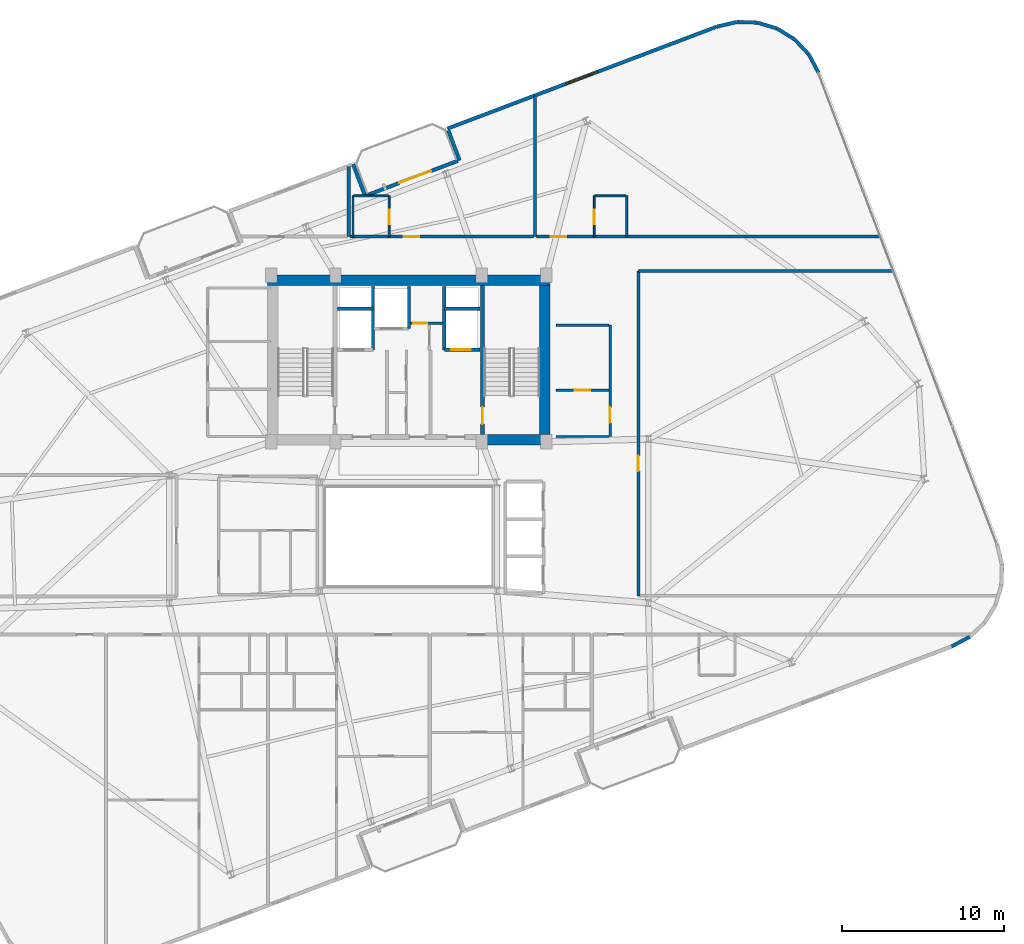
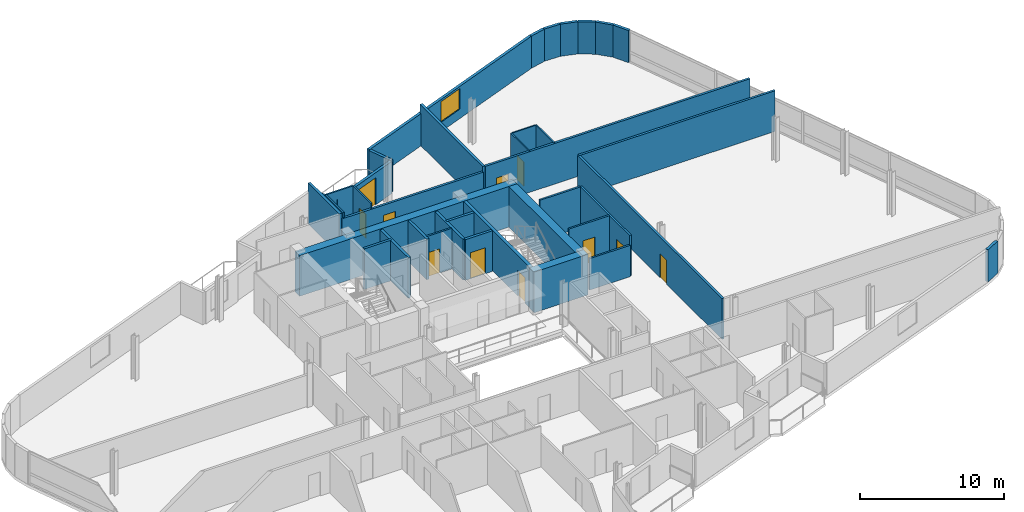
# One storey, part 17 of 20: 38 walls, 11 doors, 1 window, 12 openings.
"""IFC4 building model written with IfcOpenShell, lengths in metres."""

from ifc_helpers import new_model, si_unit, direction, frame, frame_2d, origin, place, context, subcontext, project, spatial, rectangle, extrude, material, layer, layer_set, type_object, element, fill, save


model = new_model("IFC4")

# Units and contexts
model_context = context("Model", 3, precision=1e-05, world=origin(), true_north=direction((0.0, 1.0)))
body_context = subcontext(model_context, "Body", "Model", "MODEL_VIEW")
ifc_project = project(units=[si_unit("LENGTHUNIT", "METRE"), si_unit("AREAUNIT", "SQUARE_METRE"), si_unit("VOLUMEUNIT", "CUBIC_METRE"), si_unit("PLANEANGLEUNIT", "RADIAN"), si_unit("MASSUNIT", "GRAM", prefix="KILO")], contexts=[model_context])

# Site, building, storey
site_placement = place(None, origin())
site = spatial("IfcSite", under=ifc_project, at=site_placement, CompositionType="ELEMENT")
building_placement = place(site_placement, origin())
building = spatial("IfcBuilding", under=site, at=building_placement, Name="Varnelok Gate Tower", CompositionType="ELEMENT")
storey_placement = place(building_placement, frame((0.0, 0.0, 220.10009765625)))
storey = spatial("IfcBuildingStorey", under=building, at=storey_placement, Name="L56", CompositionType="ELEMENT", Elevation=220.10009765625)

# Wall, opening, door
ifc_material_1 = material(Name="Concrete C45/55", Category="concrete")
ifc_layer_1 = layer(ifc_material_1, 0.219970703125)
ifc_layer_set_1 = layer_set([ifc_layer_1], Name="Concrete C45/55")
wall_type_1 = type_object("IfcWallType", Name="EW-BALC-220", PredefinedType="SOLIDWALL", material=ifc_layer_set_1)
wall_1_placement = place(storey_placement, frame((36.61669921875, 43.98583984375, 0.0), z_axis=(0.0, 0.0, 1.0), x_axis=(0.935227640088, 0.354046976001, 0.0)))
wall_1 = element("IfcWall", 1, at=wall_1_placement, inside=storey, type_object=wall_type_1, Name="L56 North Terrace Envelope Wall 4", PredefinedType="SOLIDWALL", context=body_context, shape_type="SweptSolid", body=[
    extrude(rectangle(XDim=6.0, YDim=0.219970703125, at=frame_2d((3.0, 0.0))), origin(), (0.0, 0.0, 1.0), 2.72998046875),
])
opening_1_placement = place(wall_1_placement, frame((2.135986328125, 0.0, 0.0)))
opening_1 = element("IfcOpeningElement", 2, at=opening_1_placement, cuts=wall_1, Name="Opening BD-2", PredefinedType="OPENING", context=body_context, shape_type="SweptSolid", body=[
    extrude(rectangle(XDim=2.10009765625, YDim=2.300048828125, at=frame_2d((1.050048828125, 1.14990234375))), frame((0.0, 0.119873046875, 0.0), z_axis=(0.0, -1.0, 0.0), x_axis=(1.0, 0.0, 0.0)), (0.0, 0.0, 1.0), 0.239990234375),
])
ifc_material_2 = material(Name="Anodized Aluminum Alloy 6063-T6", Category="aluminium")
door_type_1 = type_object("IfcDoorType", Name="DR-EXT-SLID2100", OperationType="SLIDING_TO_LEFT", PredefinedType="DOOR", material=ifc_material_2)
door_1_placement = place(opening_1_placement, origin())
door_1 = element("IfcDoor", 3, at=door_1_placement, inside=storey, type_object=door_type_1, Name="L56 North Balcony Glazed Door 4", OperationType="SLIDING_TO_LEFT", OverallHeight=2.300048828125, OverallWidth=2.10009765625, PredefinedType="DOOR", context=body_context, shape_type="SweptSolid", body=[
    extrude(rectangle(XDim=2.10009765625, YDim=2.300048828125, at=frame_2d((1.050048828125, 1.14990234375))), frame((0.0, 0.02490234375, 0.0), z_axis=(0.0, -1.0, 0.0), x_axis=(1.0, 0.0, 0.0)), (0.0, 0.0, 1.0), 0.050048828125),
])
fill(opening_1, door_1)

# Walls
wall_2_placement = place(storey_placement, frame((72.74560546875, 16.10498046875, 0.0), z_axis=(0.0, 0.0, 1.0), x_axis=(0.881112879796, 0.472906008693, 0.0)))
element("IfcWall", 4, at=wall_2_placement, inside=storey, type_object=wall_type_1, Name="L56 Perimeter Facade Closure Wall 14", PredefinedType="SOLIDWALL", context=body_context, shape_type="SweptSolid", body=[
    extrude(rectangle(XDim=1.256591796875, YDim=0.219970703125, at=frame_2d((0.62841796875, 0.0))), origin(), (0.0, 0.0, 1.0), 2.72998046875),
])
wall_3_placement = place(storey_placement, frame((64.519287109375, 51.566162109375, 0.0), z_axis=(0.0, 0.0, 1.0), x_axis=(-0.473093575122, 0.881012184466, 0.0)))
element("IfcWall", 5, at=wall_3_placement, inside=storey, type_object=wall_type_1, Name="L56 Perimeter Facade Closure Wall 20", PredefinedType="SOLIDWALL", context=body_context, shape_type="SweptSolid", body=[
    extrude(rectangle(XDim=1.273681640625, YDim=0.219970703125, at=frame_2d((0.63671875, 0.0))), origin(), (0.0, 0.0, 1.0), 2.72998046875),
])
for number, where, z_axis, x_axis, name in (
    (6, (63.8994140625, 52.706298828125, 0.0), (0.0, 0.0, 1.0), (-0.684870565369, 0.728664743686, 0.0), "L56 Perimeter Facade Closure Wall 21"),
    (7, (63.02294921875, 53.629150390625, 0.0), (0.0, 0.0, 1.0), (-0.850198480006, 0.526462291712, 0.0), "L56 Perimeter Facade Closure Wall 22"),
):
    element("IfcWall", number, at=place(storey_placement, frame(where, z_axis=z_axis, x_axis=x_axis)), inside=storey, type_object=wall_type_1, Name=name, PredefinedType="SOLIDWALL", context=body_context, shape_type="SweptSolid", body=[
        extrude(rectangle(XDim=1.248779296875, YDim=0.219970703125, at=frame_2d((0.62451171875, 0.0))), origin(), (0.0, 0.0, 1.0), 2.72998046875),
    ])
for number, where, z_axis, x_axis, name in (
    (8, (61.937255859375, 54.293701171875, 0.0), (0.0, 0.0, 1.0), (-0.957508189204, 0.288406081086, 0.0), "L56 Perimeter Facade Closure Wall 23"),
    (9, (60.716796875, 54.65478515625, 0.0), (0.0, 0.0, 1.0), (-0.999528718359, 0.030697576053, 0.0), "L56 Perimeter Facade Closure Wall 24"),
):
    element("IfcWall", number, at=place(storey_placement, frame(where, z_axis=z_axis, x_axis=x_axis)), inside=storey, type_object=wall_type_1, Name=name, PredefinedType="SOLIDWALL", context=body_context, shape_type="SweptSolid", body=[
        extrude(rectangle(XDim=1.24853515625, YDim=0.219970703125, at=frame_2d((0.624267578125, 0.0))), origin(), (0.0, 0.0, 1.0), 2.72998046875),
    ])
wall_4_placement = place(storey_placement, frame((59.4443359375, 54.6875, 0.0), z_axis=(0.0, 0.0, 1.0), x_axis=(-0.973409523464, -0.229071821989, 0.0)))
element("IfcWall", 10, at=wall_4_placement, inside=storey, type_object=wall_type_1, Name="L56 Perimeter Facade Closure Wall 25", PredefinedType="SOLIDWALL", context=body_context, shape_type="SweptSolid", body=[
    extrude(rectangle(XDim=1.256591796875, YDim=0.219970703125, at=frame_2d((0.62841796875, 0.0))), origin(), (0.0, 0.0, 1.0), 2.72998046875),
])

# Wall, opening, window
wall_5_placement = place(storey_placement, frame((58.19775390625, 54.390869140625, 0.0), z_axis=(0.0, 0.0, 1.0), x_axis=(-0.935223849772, -0.354056988094, 0.0)))
wall_5 = element("IfcWall", 11, at=wall_5_placement, inside=storey, type_object=wall_type_1, Name="L56 Perimeter Facade Closure Wall 26", PredefinedType="SOLIDWALL", context=body_context, shape_type="SweptSolid", body=[
    extrude(rectangle(XDim=17.7470703125, YDim=0.219970703125, at=frame_2d((8.87353515625, 0.0))), origin(), (0.0, 0.0, 1.0), 2.72998046875),
])
opening_2_placement = place(wall_5_placement, frame((7.823486328125, 0.0, 0.800048828125)))
opening_2 = element("IfcOpeningElement", 12, at=opening_2_placement, cuts=wall_5, Name="Opening WN4", PredefinedType="OPENING", context=body_context, shape_type="SweptSolid", body=[
    extrude(rectangle(XDim=2.10009765625, YDim=1.75, at=frame_2d((1.050048828125, 0.875))), frame((0.0, 0.119873046875, 0.0), z_axis=(0.0, -1.0, 0.0), x_axis=(1.0, 0.0, 0.0)), (0.0, 0.0, 1.0), 0.239990234375),
])
ifc_material_3 = material(Name="Low-E Laminated Double Glazing IGU", Category="glass")
window_type = type_object("IfcWindowType", Name="WN-SUI-2100", PartitioningType="SINGLE_PANEL", PredefinedType="WINDOW", material=ifc_material_3)
window_placement = place(opening_2_placement, origin())
window = element("IfcWindow", 13, at=window_placement, inside=storey, type_object=window_type, Name="L56 Perimeter Vision Window 26", OverallHeight=1.75, OverallWidth=2.10009765625, PartitioningType="SINGLE_PANEL", PredefinedType="WINDOW", context=body_context, shape_type="SweptSolid", body=[
    extrude(rectangle(XDim=2.10009765625, YDim=1.75, at=frame_2d((1.050048828125, 0.875))), frame((0.0, 0.030029296875, 0.0), z_axis=(0.0, -1.0, 0.0), x_axis=(1.0, 0.0, 0.0)), (0.0, 0.0, 1.0), 0.06005859375),
])
fill(opening_2, window)

# Walls
wall_6_placement = place(storey_placement, frame((41.64453125, 47.990478515625, 0.0), z_axis=(0.0, 0.0, 1.0), x_axis=(0.354020680661, -0.935237594232, 0.0)))
element("IfcWall", 14, at=wall_6_placement, inside=storey, type_object=wall_type_1, Name="L56 Perimeter Facade Closure Wall 27", PredefinedType="SOLIDWALL", context=body_context, shape_type="SweptSolid", body=[
    extrude(rectangle(XDim=1.97509765625, YDim=0.219970703125, at=frame_2d((0.987548828125, 0.0))), origin(), (0.0, 0.0, 1.0), 2.72998046875),
])
wall_7_placement = place(storey_placement, frame((36.508056640625, 43.93408203125, 0.0), z_axis=(0.0, 0.0, 1.0), x_axis=(-0.354128469405, 0.935196785258, 0.0)))
element("IfcWall", 15, at=wall_7_placement, inside=storey, type_object=wall_type_1, Name="L56 Perimeter Facade Closure Wall 28", PredefinedType="SOLIDWALL", context=body_context, shape_type="SweptSolid", body=[
    extrude(rectangle(XDim=2.099853515625, YDim=0.219970703125, at=frame_2d((1.0498046875, 0.0))), origin(), (0.0, 0.0, 1.0), 2.72998046875),
])

# Wall, opening, door
ifc_material_4 = material(Name="Gypsum Plasterboard Acoustic Partition", Category="gypsum")
ifc_layer_2 = layer(ifc_material_4, 0.179931640625)
ifc_layer_set_2 = layer_set([ifc_layer_2], Name="Gypsum Plasterboard Acoustic Partition")
wall_type_2 = type_object("IfcWallType", Name="PW-CORR-180", PredefinedType="PARTITIONING", material=ifc_layer_set_2)
wall_8_placement = place(storey_placement, frame((35.580078125, 41.429931640625, 0.0), z_axis=(0.0, 0.0, 1.0), x_axis=(1.0, 0.0, 0.0)))
wall_8 = element("IfcWall", 16, at=wall_8_placement, inside=storey, type_object=wall_type_2, Name="Interior Partition", PredefinedType="PARTITIONING", context=body_context, shape_type="SweptSolid", body=[
    extrude(rectangle(XDim=11.33984375, YDim=0.179931640625, at=frame_2d((5.669921875, 0.0))), origin(), (0.0, 0.0, 1.0), 3.017822265625),
])
opening_3_placement = place(wall_8_placement, frame((3.313232421875, 0.0, 0.0)))
opening_3 = element("IfcOpeningElement", 17, at=opening_3_placement, cuts=wall_8, Name="Opening D-HT", PredefinedType="OPENING", context=body_context, shape_type="SweptSolid", body=[
    extrude(rectangle(XDim=0.949951171875, YDim=2.14990234375, at=frame_2d((0.47509765625, 1.074951171875))), frame((0.0, 0.099853515625, 0.0), z_axis=(0.0, -1.0, 0.0), x_axis=(1.0, 0.0, 0.0)), (0.0, 0.0, 1.0), 0.199951171875),
])
ifc_material_5 = material(Name="Engineered Hardwood Timber", Category="wood")
door_type_2 = type_object("IfcDoorType", Name="DR-HTL-950", OperationType="NOTDEFINED", PredefinedType="DOOR", material=ifc_material_5)
door_2_placement = place(opening_3_placement, origin())
door_2 = element("IfcDoor", 18, at=door_2_placement, inside=storey, type_object=door_type_2, Name="L56 Guest Room 07 Entrance Door", OperationType="SINGLE_SWING_RIGHT", OverallHeight=2.14990234375, OverallWidth=0.949951171875, PredefinedType="DOOR", context=body_context, shape_type="SweptSolid", body=[
    extrude(rectangle(XDim=0.949951171875, YDim=2.14990234375, at=frame_2d((0.47509765625, 1.074951171875))), frame((0.0, 0.02490234375, 0.0), z_axis=(0.0, -1.0, 0.0), x_axis=(1.0, 0.0, 0.0)), (0.0, 0.0, 1.0), 0.050048828125),
])
fill(opening_3, door_2)

wall_9_placement = place(storey_placement, frame((47.080078125, 41.429931640625, 0.0), z_axis=(0.0, 0.0, 1.0), x_axis=(1.0, 0.0, 0.0)))
wall_9 = element("IfcWall", 19, at=wall_9_placement, inside=storey, type_object=wall_type_2, Name="Interior Partition", PredefinedType="PARTITIONING", context=body_context, shape_type="SweptSolid", body=[
    extrude(rectangle(XDim=21.21630859375, YDim=0.179931640625, at=frame_2d((10.608154296875, 0.0))), origin(), (0.0, 0.0, 1.0), 3.449951171875),
])
opening_4_placement = place(wall_9_placement, frame((0.901611328125, 0.0, 0.0)))
opening_4 = element("IfcOpeningElement", 20, at=opening_4_placement, cuts=wall_9, Name="Opening D-HT", PredefinedType="OPENING", context=body_context, shape_type="SweptSolid", body=[
    extrude(rectangle(XDim=0.949951171875, YDim=2.14990234375, at=frame_2d((0.47509765625, 1.074951171875))), frame((0.0, 0.099853515625, 0.0), z_axis=(0.0, -1.0, 0.0), x_axis=(1.0, 0.0, 0.0)), (0.0, 0.0, 1.0), 0.199951171875),
])
door_3_placement = place(opening_4_placement, origin())
door_3 = element("IfcDoor", 21, at=door_3_placement, inside=storey, type_object=door_type_2, Name="L56 Guest Room 08 Entrance Door", OperationType="SINGLE_SWING_LEFT", OverallHeight=2.14990234375, OverallWidth=0.949951171875, PredefinedType="DOOR", context=body_context, shape_type="SweptSolid", body=[
    extrude(rectangle(XDim=0.949951171875, YDim=2.14990234375, at=frame_2d((0.47509765625, 1.074951171875))), frame((0.0, 0.02490234375, 0.0), z_axis=(0.0, -1.0, 0.0), x_axis=(1.0, 0.0, 0.0)), (0.0, 0.0, 1.0), 0.050048828125),
])
fill(opening_4, door_3)

wall_10_placement = place(storey_placement, frame((53.389892578125, 19.239990234375, 0.0), z_axis=(0.0, 0.0, 1.0), x_axis=(0.0, 1.0, 0.0)))
wall_10 = element("IfcWall", 22, at=wall_10_placement, inside=storey, type_object=wall_type_2, Name="Interior Partition", PredefinedType="PARTITIONING", context=body_context, shape_type="SweptSolid", body=[
    extrude(rectangle(XDim=20.06005859375, YDim=0.179931640625, at=frame_2d((10.030029296875, 0.0))), origin(), (0.0, 0.0, 1.0), 3.449951171875),
])
opening_5_placement = place(wall_10_placement, frame((7.699951171875, 0.0, 0.0)))
opening_5 = element("IfcOpeningElement", 23, at=opening_5_placement, cuts=wall_10, Name="Opening D-I2", PredefinedType="OPENING", context=body_context, shape_type="SweptSolid", body=[
    extrude(rectangle(XDim=0.949951171875, YDim=2.050048828125, at=frame_2d((0.47509765625, 1.02490234375))), frame((0.0, 0.099853515625, 0.0), z_axis=(0.0, -1.0, 0.0), x_axis=(1.0, 0.0, 0.0)), (0.0, 0.0, 1.0), 0.199951171875),
])
door_type_3 = type_object("IfcDoorType", Name="DR-INT-950", OperationType="NOTDEFINED", PredefinedType="DOOR", material=ifc_material_5)
door_4_placement = place(opening_5_placement, origin())
door_4 = element("IfcDoor", 24, at=door_4_placement, inside=storey, type_object=door_type_3, Name="L56 East Club Door", OperationType="SINGLE_SWING_RIGHT", OverallHeight=2.050048828125, OverallWidth=0.949951171875, PredefinedType="DOOR", context=body_context, shape_type="SweptSolid", body=[
    extrude(rectangle(XDim=0.949951171875, YDim=2.050048828125, at=frame_2d((0.47509765625, 1.02490234375))), frame((0.0, 0.02490234375, 0.0), z_axis=(0.0, -1.0, 0.0), x_axis=(1.0, 0.0, 0.0)), (0.0, 0.0, 1.0), 0.050048828125),
])
fill(opening_5, door_4)

# Walls
wall_11_placement = place(storey_placement, frame((53.389892578125, 39.300048828125, 0.0), z_axis=(0.0, 0.0, 1.0), x_axis=(1.0, 0.0, 0.0)))
element("IfcWall", 25, at=wall_11_placement, inside=storey, type_object=wall_type_2, Name="Interior Partition", PredefinedType="PARTITIONING", context=body_context, shape_type="SweptSolid", body=[
    extrude(rectangle(XDim=15.712890625, YDim=0.179931640625, at=frame_2d((7.8564453125, 0.0))), origin(), (0.0, 0.0, 1.0), 3.449951171875),
])
ifc_layer_3 = layer(ifc_material_4, 0.114990234375)
ifc_layer_set_3 = layer_set([ifc_layer_3], Name="Gypsum Plasterboard Acoustic Partition")
wall_type_3 = type_object("IfcWallType", Name="PW-ENS-125", PredefinedType="PARTITIONING", material=ifc_layer_set_3)
wall_12_placement = place(storey_placement, frame((35.800048828125, 43.949951171875, 0.0), z_axis=(0.0, 0.0, 1.0), x_axis=(1.0, 0.0, 0.0)))
element("IfcWall", 26, at=wall_12_placement, inside=storey, type_object=wall_type_3, Name="Interior Partition", PredefinedType="PARTITIONING", context=body_context, shape_type="SweptSolid", body=[
    extrude(rectangle(XDim=2.14990234375, YDim=0.114990234375, at=frame_2d((1.074951171875, 0.0))), origin(), (0.0, 0.0, 1.0), 3.449951171875),
])

# Wall, opening, door
wall_13_placement = place(storey_placement, frame((37.989990234375, 41.429931640625, 0.0), z_axis=(0.0, 0.0, 1.0), x_axis=(0.0, 1.0, 0.0)))
wall_13 = element("IfcWall", 27, at=wall_13_placement, inside=storey, type_object=wall_type_3, Name="Interior Partition", PredefinedType="PARTITIONING", context=body_context, shape_type="SweptSolid", body=[
    extrude(rectangle(XDim=2.52001953125, YDim=0.114990234375, at=frame_2d((1.260009765625, 0.0))), origin(), (0.0, 0.0, 1.0), 3.449951171875),
])
opening_6_placement = place(wall_13_placement, frame((0.760009765625, 0.0, 0.0)))
opening_6 = element("IfcOpeningElement", 28, at=opening_6_placement, cuts=wall_13, Name="Opening D-WC", PredefinedType="OPENING", context=body_context, shape_type="SweptSolid", body=[
    extrude(rectangle(XDim=0.89990234375, YDim=2.050048828125, at=frame_2d((0.449951171875, 1.02490234375))), frame((0.0, 0.0673828125, 0.0), z_axis=(0.0, -1.0, 0.0), x_axis=(1.0, 0.0, 0.0)), (0.0, 0.0, 1.0), 0.135009765625),
])
door_type_4 = type_object("IfcDoorType", Name="DR-BATH-900", OperationType="NOTDEFINED", PredefinedType="DOOR", material=ifc_material_5)
door_5_placement = place(opening_6_placement, origin())
door_5 = element("IfcDoor", 29, at=door_5_placement, inside=storey, type_object=door_type_4, Name="L56 North En-Suite 07 Door", OperationType="SINGLE_SWING_RIGHT", OverallHeight=2.050048828125, OverallWidth=0.89990234375, PredefinedType="DOOR", context=body_context, shape_type="SweptSolid", body=[
    extrude(rectangle(XDim=0.89990234375, YDim=2.050048828125, at=frame_2d((0.449951171875, 1.02490234375))), frame((0.0, 0.02490234375, 0.0), z_axis=(0.0, -1.0, 0.0), x_axis=(1.0, 0.0, 0.0)), (0.0, 0.0, 1.0), 0.050048828125),
])
fill(opening_6, door_5)

# Walls
wall_14_placement = place(storey_placement, frame((35.760009765625, 41.429931640625, 0.0), z_axis=(0.0, 0.0, 1.0), x_axis=(0.0, 1.0, 0.0)))
element("IfcWall", 30, at=wall_14_placement, inside=storey, type_object=wall_type_3, Name="Interior Partition", PredefinedType="PARTITIONING", context=body_context, shape_type="SweptSolid", body=[
    extrude(rectangle(XDim=2.52001953125, YDim=0.114990234375, at=frame_2d((1.260009765625, 0.0))), origin(), (0.0, 0.0, 1.0), 3.449951171875),
])
wall_15_placement = place(storey_placement, frame((50.704833984375, 43.949951171875, 0.0), z_axis=(0.0, 0.0, 1.0), x_axis=(1.0, 0.0, 0.0)))
element("IfcWall", 31, at=wall_15_placement, inside=storey, type_object=wall_type_3, Name="Interior Partition", PredefinedType="PARTITIONING", context=body_context, shape_type="SweptSolid", body=[
    extrude(rectangle(XDim=1.915283203125, YDim=0.114990234375, at=frame_2d((0.95751953125, 0.0))), origin(), (0.0, 0.0, 1.0), 3.449951171875),
])

# Wall, opening, door
wall_16_placement = place(storey_placement, frame((50.664794921875, 41.429931640625, 0.0), z_axis=(0.0, 0.0, 1.0), x_axis=(0.0, 1.0, 0.0)))
wall_16 = element("IfcWall", 32, at=wall_16_placement, inside=storey, type_object=wall_type_3, Name="Interior Partition", PredefinedType="PARTITIONING", context=body_context, shape_type="SweptSolid", body=[
    extrude(rectangle(XDim=2.52001953125, YDim=0.114990234375, at=frame_2d((1.260009765625, 0.0))), origin(), (0.0, 0.0, 1.0), 3.449951171875),
])
opening_7_placement = place(wall_16_placement, frame((0.760009765625, 0.0, 0.0)))
opening_7 = element("IfcOpeningElement", 33, at=opening_7_placement, cuts=wall_16, Name="Opening D-WC", PredefinedType="OPENING", context=body_context, shape_type="SweptSolid", body=[
    extrude(rectangle(XDim=0.89990234375, YDim=2.050048828125, at=frame_2d((0.449951171875, 1.02490234375))), frame((0.0, 0.0673828125, 0.0), z_axis=(0.0, -1.0, 0.0), x_axis=(1.0, 0.0, 0.0)), (0.0, 0.0, 1.0), 0.135009765625),
])
door_6_placement = place(opening_7_placement, origin())
door_6 = element("IfcDoor", 34, at=door_6_placement, inside=storey, type_object=door_type_4, Name="L56 North En-Suite 08 Door", OperationType="SINGLE_SWING_LEFT", OverallHeight=2.050048828125, OverallWidth=0.89990234375, PredefinedType="DOOR", context=body_context, shape_type="SweptSolid", body=[
    extrude(rectangle(XDim=0.89990234375, YDim=2.050048828125, at=frame_2d((0.449951171875, 1.02490234375))), frame((0.0, 0.02490234375, 0.0), z_axis=(0.0, -1.0, 0.0), x_axis=(1.0, 0.0, 0.0)), (0.0, 0.0, 1.0), 0.050048828125),
])
fill(opening_7, door_6)

# Wall
wall_17_placement = place(storey_placement, frame((52.659912109375, 41.429931640625, 0.0), z_axis=(0.0, 0.0, 1.0), x_axis=(0.0, 1.0, 0.0)))
element("IfcWall", 35, at=wall_17_placement, inside=storey, type_object=wall_type_3, Name="Interior Partition", PredefinedType="PARTITIONING", context=body_context, shape_type="SweptSolid", body=[
    extrude(rectangle(XDim=2.52001953125, YDim=0.114990234375, at=frame_2d((1.260009765625, 0.0))), origin(), (0.0, 0.0, 1.0), 3.449951171875),
])

# Wall, opening, door
ifc_layer_4 = layer(ifc_material_4, 0.14990234375)
ifc_layer_set_4 = layer_set([ifc_layer_4], Name="Gypsum Plasterboard Acoustic Partition")
wall_type_4 = type_object("IfcWallType", Name="PW-PART-150", PredefinedType="PARTITIONING", material=ifc_layer_set_4)
wall_18_placement = place(storey_placement, frame((39.300048828125, 36.080078125, 0.0), z_axis=(0.0, 0.0, 1.0), x_axis=(1.0, 0.0, 0.0)))
wall_18 = element("IfcWall", 36, at=wall_18_placement, inside=storey, type_object=wall_type_4, Name="L56 Electrical Closet South Wall", PredefinedType="PARTITIONING", context=body_context, shape_type="SweptSolid", body=[
    extrude(rectangle(XDim=2.02001953125, YDim=0.14990234375, at=frame_2d((1.010009765625, 0.0))), origin(), (0.0, 0.0, 1.0), 3.449951171875),
])
opening_8_placement = place(wall_18_placement, frame((0.179931640625, 0.0, 0.0)))
opening_8 = element("IfcOpeningElement", 37, at=opening_8_placement, cuts=wall_18, Name="Opening D-RS", PredefinedType="OPENING", context=body_context, shape_type="SweptSolid", body=[
    extrude(rectangle(XDim=0.85009765625, YDim=2.050048828125, at=frame_2d((0.425048828125, 1.02490234375))), frame((0.0, 0.0849609375, 0.0), z_axis=(0.0, -1.0, 0.0), x_axis=(1.0, 0.0, 0.0)), (0.0, 0.0, 1.0), 0.169921875),
])
ifc_material_6 = material(Name="Galvanized Steel Grade S350GD", Category="steel")
door_type_5 = type_object("IfcDoorType", Name="DR-RISER-850", OperationType="NOTDEFINED", PredefinedType="DOOR", material=ifc_material_6)
door_7_placement = place(opening_8_placement, origin())
door_7 = element("IfcDoor", 38, at=door_7_placement, inside=storey, type_object=door_type_5, Name="L56 Electrical Closet Door", OperationType="SINGLE_SWING_RIGHT", OverallHeight=2.050048828125, OverallWidth=0.85009765625, PredefinedType="DOOR", context=body_context, shape_type="SweptSolid", body=[
    extrude(rectangle(XDim=0.85009765625, YDim=2.050048828125, at=frame_2d((0.425048828125, 1.02490234375))), frame((0.0, 0.02490234375, 0.0), z_axis=(0.0, -1.0, 0.0), x_axis=(1.0, 0.0, 0.0)), (0.0, 0.0, 1.0), 0.050048828125),
])
fill(opening_8, door_7)

wall_19_placement = place(storey_placement, frame((48.300048828125, 31.929931640625, 0.0), z_axis=(0.0, 0.0, 1.0), x_axis=(1.0, 0.0, 0.0)))
wall_19 = element("IfcWall", 39, at=wall_19_placement, inside=storey, type_object=wall_type_4, Name="Interior Partition", PredefinedType="PARTITIONING", context=body_context, shape_type="SweptSolid", body=[
    extrude(rectangle(XDim=3.280029296875, YDim=0.14990234375, at=frame_2d((1.64013671875, 0.0))), origin(), (0.0, 0.0, 1.0), 3.449951171875),
])
opening_9_placement = place(wall_19_placement, frame((1.14990234375, 0.0, 0.0)))
opening_9 = element("IfcOpeningElement", 40, at=opening_9_placement, cuts=wall_19, Name="Opening D-I2", PredefinedType="OPENING", context=body_context, shape_type="SweptSolid", body=[
    extrude(rectangle(XDim=0.949951171875, YDim=2.050048828125, at=frame_2d((0.47509765625, 1.02490234375))), frame((0.0, 0.0849609375, 0.0), z_axis=(0.0, -1.0, 0.0), x_axis=(1.0, 0.0, 0.0)), (0.0, 0.0, 1.0), 0.169921875),
])
door_8_placement = place(opening_9_placement, origin())
door_8 = element("IfcDoor", 41, at=door_8_placement, inside=storey, type_object=door_type_3, Name="L56 Reclaimed Trunk Storage Door", OperationType="SINGLE_SWING_LEFT", OverallHeight=2.050048828125, OverallWidth=0.949951171875, PredefinedType="DOOR", context=body_context, shape_type="SweptSolid", body=[
    extrude(rectangle(XDim=0.949951171875, YDim=2.050048828125, at=frame_2d((0.47509765625, 1.02490234375))), frame((0.0, 0.02490234375, 0.0), z_axis=(0.0, -1.0, 0.0), x_axis=(1.0, 0.0, 0.0)), (0.0, 0.0, 1.0), 0.050048828125),
])
fill(opening_9, door_8)

# Walls
wall_20_placement = place(storey_placement, frame((48.300048828125, 29.080078125, 0.0), z_axis=(0.0, 0.0, 1.0), x_axis=(1.0, 0.0, 0.0)))
element("IfcWall", 42, at=wall_20_placement, inside=storey, type_object=wall_type_4, Name="Interior Partition", PredefinedType="PARTITIONING", context=body_context, shape_type="SweptSolid", body=[
    extrude(rectangle(XDim=3.280029296875, YDim=0.14990234375, at=frame_2d((1.64013671875, 0.0))), origin(), (0.0, 0.0, 1.0), 2.661865234375),
])
wall_21_placement = place(storey_placement, frame((48.300048828125, 35.9599609375, 0.0), z_axis=(0.0, 0.0, 1.0), x_axis=(1.0, 0.0, 0.0)))
element("IfcWall", 43, at=wall_21_placement, inside=storey, type_object=wall_type_4, Name="Interior Partition", PredefinedType="PARTITIONING", context=body_context, shape_type="SweptSolid", body=[
    extrude(rectangle(XDim=3.280029296875, YDim=0.14990234375, at=frame_2d((1.64013671875, 0.0))), origin(), (0.0, 0.0, 1.0), 3.449951171875),
])

# Wall, opening, door
wall_22_placement = place(storey_placement, frame((51.639892578125, 29.080078125, 0.0), z_axis=(0.0, 0.0, 1.0), x_axis=(0.0, 1.0, 0.0)))
wall_22 = element("IfcWall", 44, at=wall_22_placement, inside=storey, type_object=wall_type_4, Name="Interior Partition", PredefinedType="PARTITIONING", context=body_context, shape_type="SweptSolid", body=[
    extrude(rectangle(XDim=6.8798828125, YDim=0.14990234375, at=frame_2d((3.43994140625, 0.0))), origin(), (0.0, 0.0, 1.0), 3.449951171875),
])
opening_10_placement = place(wall_22_placement, frame((0.85009765625, 0.0, 0.0)))
opening_10 = element("IfcOpeningElement", 45, at=opening_10_placement, cuts=wall_22, Name="Opening D-I2", PredefinedType="OPENING", context=body_context, shape_type="SweptSolid", body=[
    extrude(rectangle(XDim=0.949951171875, YDim=2.050048828125, at=frame_2d((0.47509765625, 1.02490234375))), frame((0.0, 0.0849609375, 0.0), z_axis=(0.0, -1.0, 0.0), x_axis=(1.0, 0.0, 0.0)), (0.0, 0.0, 1.0), 0.169921875),
])
door_9_placement = place(opening_10_placement, origin())
door_9 = element("IfcDoor", 46, at=door_9_placement, inside=storey, type_object=door_type_3, Name="L56 Reclaimed Wine Storage Door", OperationType="SINGLE_SWING_RIGHT", OverallHeight=2.050048828125, OverallWidth=0.949951171875, PredefinedType="DOOR", context=body_context, shape_type="SweptSolid", body=[
    extrude(rectangle(XDim=0.949951171875, YDim=2.050048828125, at=frame_2d((0.47509765625, 1.02490234375))), frame((0.0, 0.02490234375, 0.0), z_axis=(0.0, -1.0, 0.0), x_axis=(1.0, 0.0, 0.0)), (0.0, 0.0, 1.0), 0.050048828125),
])
fill(opening_10, door_9)

# Walls
ifc_layer_5 = layer(ifc_material_4, 0.205078125)
ifc_layer_set_5 = layer_set([ifc_layer_5], Name="Gypsum Plasterboard Acoustic Partition")
wall_type_5 = type_object("IfcWallType", Name="PW-PARTY-200", PredefinedType="PARTITIONING", material=ifc_layer_set_5)
wall_23_placement = place(storey_placement, frame((35.5, 41.429931640625, 0.0), z_axis=(0.0, 0.0, 1.0), x_axis=(0.0, 1.0, 0.0)))
element("IfcWall", 47, at=wall_23_placement, inside=storey, type_object=wall_type_5, Name="L56 North Party Wall 1", PredefinedType="PARTITIONING", context=body_context, shape_type="SweptSolid", body=[
    extrude(rectangle(XDim=4.346435546875, YDim=0.205078125, at=frame_2d((2.17333984375, 0.0))), origin(), (0.0, 0.0, 1.0), 3.449951171875),
])
wall_24_placement = place(storey_placement, frame((47.0, 41.429931640625, 0.0), z_axis=(0.0, 0.0, 1.0), x_axis=(0.0, 1.0, 0.0)))
element("IfcWall", 48, at=wall_24_placement, inside=storey, type_object=wall_type_5, Name="L56 North Party Wall 2", PredefinedType="PARTITIONING", context=body_context, shape_type="SweptSolid", body=[
    extrude(rectangle(XDim=8.7001953125, YDim=0.205078125, at=frame_2d((4.35009765625, 0.0))), origin(), (0.0, 0.0, 1.0), 3.449951171875),
])
ifc_material_7 = material(Name="Concrete C35/45", Category="concrete")
ifc_layer_6 = layer(ifc_material_7, 0.199951171875)
ifc_layer_set_6 = layer_set([ifc_layer_6], Name="Concrete C35/45")
wall_type_6 = type_object("IfcWallType", Name="PW-SHAFT-200", PredefinedType="PARTITIONING", material=ifc_layer_set_6)
wall_25_placement = place(storey_placement, frame((34.800048828125, 36.97998046875, 0.0), z_axis=(0.0, 0.0, 1.0), x_axis=(1.0, 0.0, 0.0)))
element("IfcWall", 49, at=wall_25_placement, inside=storey, type_object=wall_type_6, Name="L56 FF1 Shaft North Wall", PredefinedType="PARTITIONING", context=body_context, shape_type="SweptSolid", body=[
    extrude(rectangle(XDim=2.179931640625, YDim=0.199951171875, at=frame_2d((1.08984375, 0.0))), origin(), (0.0, 0.0, 1.0), 3.449951171875),
])
wall_26_placement = place(storey_placement, frame((37.0, 34.43994140625, 0.0), z_axis=(0.0, 0.0, 1.0), x_axis=(0.0, 1.0, 0.0)))
element("IfcWall", 50, at=wall_26_placement, inside=storey, type_object=wall_type_6, Name="L56 FF1 Shaft Side Wall", PredefinedType="PARTITIONING", context=body_context, shape_type="SweptSolid", body=[
    extrude(rectangle(XDim=3.900146484375, YDim=0.199951171875, at=frame_2d((1.9501953125, 0.0))), origin(), (0.0, 0.0, 1.0), 3.449951171875),
])

# Wall, opening, door
wall_27_placement = place(storey_placement, frame((41.419921875, 34.43994140625, 0.0), z_axis=(0.0, 0.0, 1.0), x_axis=(1.0, 0.0, 0.0)))
wall_27 = element("IfcWall", 51, at=wall_27_placement, inside=storey, type_object=wall_type_6, Name="L56 FF2 Shaft Front Wall", PredefinedType="PARTITIONING", context=body_context, shape_type="SweptSolid", body=[
    extrude(rectangle(XDim=2.18017578125, YDim=0.199951171875, at=frame_2d((1.090087890625, 0.0))), origin(), (0.0, 0.0, 1.0), 3.449951171875),
])
opening_11_placement = place(wall_27_placement, frame((0.419921875, 0.0, 0.0)))
opening_11 = element("IfcOpeningElement", 52, at=opening_11_placement, cuts=wall_27, Name="Opening LD-FF2", PredefinedType="OPENING", context=body_context, shape_type="SweptSolid", body=[
    extrude(rectangle(XDim=1.199951171875, YDim=2.199951171875, at=frame_2d((0.60009765625, 1.10009765625))), frame((0.0, 0.10986328125, 0.0), z_axis=(0.0, -1.0, 0.0), x_axis=(1.0, 0.0, 0.0)), (0.0, 0.0, 1.0), 0.219970703125),
])
door_type_6 = type_object("IfcDoorType", Name="DR-LIFT-FF1200", OperationType="SLIDING_TO_LEFT", PredefinedType="DOOR", material=ifc_material_6)
door_10_placement = place(opening_11_placement, origin())
door_10 = element("IfcDoor", 53, at=door_10_placement, inside=storey, type_object=door_type_6, Name="L56 Firefighting Lift Landing Door LD-FF2", OperationType="SLIDING_TO_LEFT", OverallHeight=2.199951171875, OverallWidth=1.199951171875, PredefinedType="DOOR", context=body_context, shape_type="SweptSolid", body=[
    extrude(rectangle(XDim=1.199951171875, YDim=2.199951171875, at=frame_2d((0.60009765625, 1.10009765625))), frame((0.0, 0.02490234375, 0.0), z_axis=(0.0, -1.0, 0.0), x_axis=(1.0, 0.0, 0.0)), (0.0, 0.0, 1.0), 0.050048828125),
])
fill(opening_11, door_10)

# Walls
wall_28_placement = place(storey_placement, frame((41.419921875, 36.97998046875, 0.0), z_axis=(0.0, 0.0, 1.0), x_axis=(1.0, 0.0, 0.0)))
element("IfcWall", 54, at=wall_28_placement, inside=storey, type_object=wall_type_6, Name="L56 FF2 Shaft North Wall", PredefinedType="PARTITIONING", context=body_context, shape_type="SweptSolid", body=[
    extrude(rectangle(XDim=2.18017578125, YDim=0.199951171875, at=frame_2d((1.090087890625, 0.0))), origin(), (0.0, 0.0, 1.0), 3.449951171875),
])
wall_29_placement = place(storey_placement, frame((41.39990234375, 34.43994140625, 0.0), z_axis=(0.0, 0.0, 1.0), x_axis=(0.0, 1.0, 0.0)))
element("IfcWall", 55, at=wall_29_placement, inside=storey, type_object=wall_type_6, Name="L56 FF2 Shaft Side Wall", PredefinedType="PARTITIONING", context=body_context, shape_type="SweptSolid", body=[
    extrude(rectangle(XDim=3.900146484375, YDim=0.199951171875, at=frame_2d((1.9501953125, 0.0))), origin(), (0.0, 0.0, 1.0), 3.449951171875),
])
wall_30_placement = place(storey_placement, frame((39.219970703125, 35.75, 0.0), z_axis=(0.0, 0.0, 1.0), x_axis=(0.0, 1.0, 0.0)))
element("IfcWall", 56, at=wall_30_placement, inside=storey, type_object=wall_type_6, Name="L56 SV1 Shaft East Wall", PredefinedType="PARTITIONING", context=body_context, shape_type="SweptSolid", body=[
    extrude(rectangle(XDim=2.590087890625, YDim=0.199951171875, at=frame_2d((1.294921875, 0.0))), origin(), (0.0, 0.0, 1.0), 3.449951171875),
])
ifc_material_8 = material(Name="Concrete C60/75", Category="concrete")
ifc_layer_7 = layer(ifc_material_8, 0.64990234375)
ifc_layer_set_7 = layer_set([ifc_layer_7], Name="Concrete C60/75")
wall_type_7 = type_object("IfcWallType", Name="SW-CORE-650", PredefinedType="SHEAR", material=ifc_layer_set_7)
wall_31_placement = place(storey_placement, frame((30.47998046875, 38.7451171875, 0.0), z_axis=(0.0, 0.0, 1.0), x_axis=(1.0, 0.0, 0.0)))
element("IfcWall", 57, at=wall_31_placement, inside=storey, type_object=wall_type_7, Name="L56 Rear Core North Shear Wall", PredefinedType="SHEAR", context=body_context, shape_type="SweptSolid", body=[
    extrude(rectangle(XDim=17.43994140625, YDim=0.64990234375, at=frame_2d((8.719970703125, 0.0))), origin(), (0.0, 0.0, 1.0), 3.449951171875),
])
wall_32_placement = place(storey_placement, frame((47.594970703125, 29.199951171875, 0.0), z_axis=(0.0, 0.0, 1.0), x_axis=(0.0, 1.0, 0.0)))
element("IfcWall", 58, at=wall_32_placement, inside=storey, type_object=wall_type_7, Name="L56 Rear Core East Shear Wall", PredefinedType="SHEAR", context=body_context, shape_type="SweptSolid", body=[
    extrude(rectangle(XDim=9.219970703125, YDim=0.64990234375, at=frame_2d((4.60986328125, 0.0))), origin(), (0.0, 0.0, 1.0), 3.449951171875),
])
wall_33_placement = place(storey_placement, frame((43.60009765625, 28.875, 0.0), z_axis=(0.0, 0.0, 1.0), x_axis=(1.0, 0.0, 0.0)))
element("IfcWall", 59, at=wall_33_placement, inside=storey, type_object=wall_type_7, Name="L56 Rear Core South-East Shear Wall", PredefinedType="SHEAR", context=body_context, shape_type="SweptSolid", body=[
    extrude(rectangle(XDim=4.31982421875, YDim=0.64990234375, at=frame_2d((2.159912109375, 0.0))), origin(), (0.0, 0.0, 1.0), 3.449951171875),
])

# Wall, opening, door
ifc_layer_8 = layer(ifc_material_8, 0.25)
ifc_layer_set_8 = layer_set([ifc_layer_8], Name="Concrete C60/75")
wall_type_8 = type_object("IfcWallType", Name="SW-SHAFT-250", PredefinedType="SHEAR", material=ifc_layer_set_8)
wall_34_placement = place(storey_placement, frame((43.760009765625, 29.199951171875, 0.0), z_axis=(0.0, 0.0, 1.0), x_axis=(0.0, 1.0, 0.0)))
wall_34 = element("IfcWall", 60, at=wall_34_placement, inside=storey, type_object=wall_type_8, Name="L56 Stair ST-2 West Shear Wall", PredefinedType="SHEAR", context=body_context, shape_type="SweptSolid", body=[
    extrude(rectangle(XDim=9.219970703125, YDim=0.25, at=frame_2d((4.60986328125, 0.0))), origin(), (0.0, 0.0, 1.0), 3.449951171875),
])
opening_12_placement = place(wall_34_placement, frame((0.64990234375, 0.0, 0.0)))
opening_12 = element("IfcOpeningElement", 61, at=opening_12_placement, cuts=wall_34, Name="Opening D-ST", PredefinedType="OPENING", context=body_context, shape_type="SweptSolid", body=[
    extrude(rectangle(XDim=1.050048828125, YDim=2.14990234375, at=frame_2d((0.52490234375, 1.074951171875))), frame((0.0, 0.135009765625, 0.0), z_axis=(0.0, -1.0, 0.0), x_axis=(1.0, 0.0, 0.0)), (0.0, 0.0, 1.0), 0.27001953125),
])
door_type_7 = type_object("IfcDoorType", Name="DR-STAIR-1050", OperationType="NOTDEFINED", PredefinedType="DOOR", material=ifc_material_6)
door_11_placement = place(opening_12_placement, origin())
door_11 = element("IfcDoor", 62, at=door_11_placement, inside=storey, type_object=door_type_7, Name="L56 Exit Stair ST-2 Fire Door", OperationType="SINGLE_SWING_RIGHT", OverallHeight=2.14990234375, OverallWidth=1.050048828125, PredefinedType="DOOR", context=body_context, shape_type="SweptSolid", body=[
    extrude(rectangle(XDim=1.050048828125, YDim=2.14990234375, at=frame_2d((0.52490234375, 1.074951171875))), frame((0.0, 0.02490234375, 0.0), z_axis=(0.0, -1.0, 0.0), x_axis=(1.0, 0.0, 0.0)), (0.0, 0.0, 1.0), 0.050048828125),
])
fill(opening_12, door_11)

save(model, "model.ifc")
